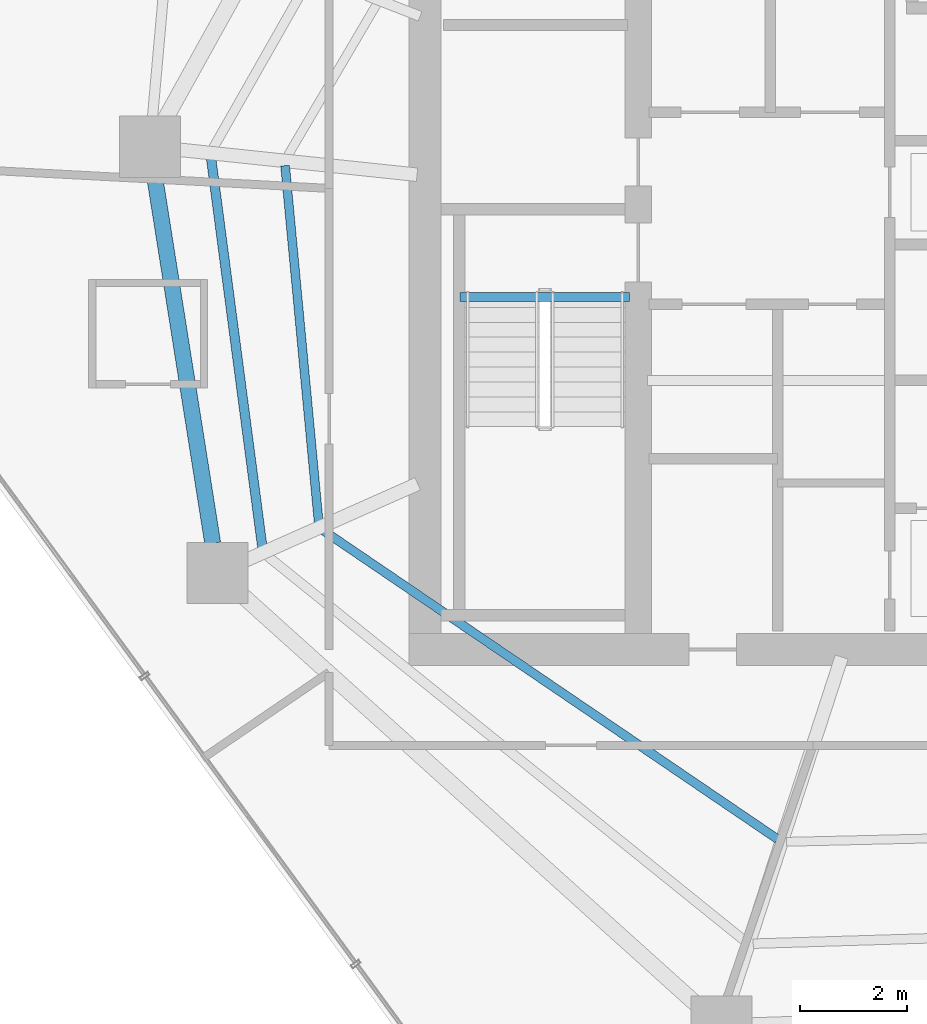
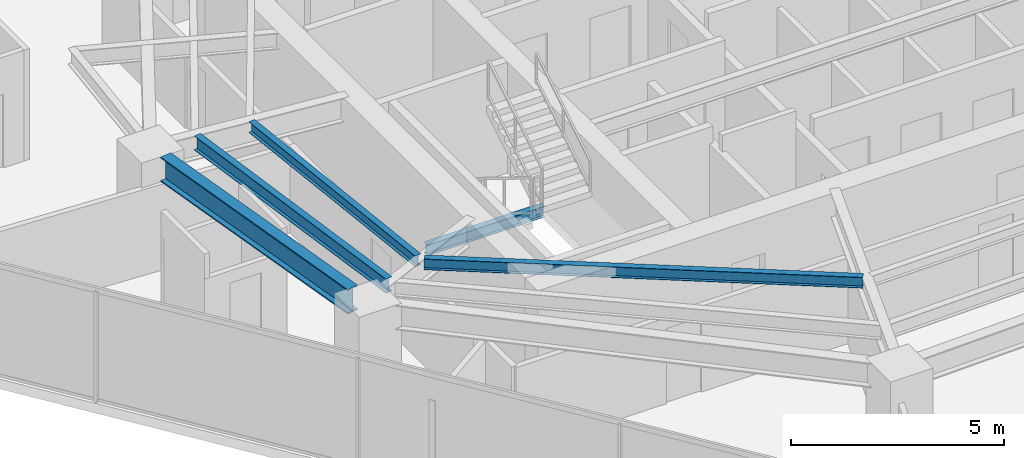
# One storey, part 7 of 30: 5 beams.
"""IFC4 building model written with IfcOpenShell, lengths in metres."""

from ifc_helpers import new_model, si_unit, direction, frame, origin, origin_2d, place, context, subcontext, project, spatial, i_section, extrude, material, material_profile, profile_set, type_object, element, save


model = new_model("IFC4")

# Units and contexts
model_context = context("Model", 3, precision=1e-05, world=origin(), true_north=direction((0.0, 1.0)))
body_context = subcontext(model_context, "Body", "Model", "MODEL_VIEW")
ifc_project = project(units=[si_unit("LENGTHUNIT", "METRE"), si_unit("AREAUNIT", "SQUARE_METRE"), si_unit("VOLUMEUNIT", "CUBIC_METRE"), si_unit("PLANEANGLEUNIT", "RADIAN"), si_unit("MASSUNIT", "GRAM", prefix="KILO")], contexts=[model_context])

# Site, building, storey
site_placement = place(None, origin())
site = spatial("IfcSite", under=ifc_project, at=site_placement, CompositionType="ELEMENT")
building_placement = place(site_placement, origin())
building = spatial("IfcBuilding", under=site, at=building_placement, Name="Qarnah Convention Tower", CompositionType="ELEMENT")
storey_placement = place(building_placement, frame((0.0, 0.0, 90.14990234375)))
storey = spatial("IfcBuildingStorey", under=building, at=storey_placement, Name="L23", CompositionType="ELEMENT", Elevation=90.14990234375)

# Beams
ifc_material = material(Name="Structural steel S355JR", Category="steel")
ifc_material_profile_1 = material_profile(ifc_material, i_section(OverallWidth=0.166015625, OverallDepth=0.31201171875, WebThickness=0.007080078125, FlangeThickness=0.010986328125, at=origin_2d()), Name="W310X45")
ifc_profile_set_1 = profile_set([ifc_material_profile_1], Name="Structural steel S355JR")
beam_type_1 = type_object("IfcBeamType", Name="BM-JST-W310", PredefinedType="JOIST", material=ifc_profile_set_1)
beam_1_placement = place(storey_placement, frame((27.4599609375, 25.217041015625, -0.156005859375), z_axis=(1.0, 0.0, 0.0), x_axis=(0.0, 1.0, 0.0)))
element("IfcBeam", 1, at=beam_1_placement, inside=storey, type_object=beam_type_1, Name="L23 stair landing trimmer beam BM-L23-ST1-TRM", PredefinedType="BEAM", context=body_context, shape_type="SweptSolid", body=[
    extrude(i_section(OverallWidth=0.166015625, OverallDepth=0.31201171875, WebThickness=0.007080078125, FlangeThickness=0.010986328125, at=origin_2d()), origin(), (0.0, 0.0, 1.0), 3.179931640625),
])
beam_2_placement = place(storey_placement, frame((24.174072265625, 27.679931640625, 3.01416015625), z_axis=(0.093676486558, -0.995602689764, 0.0), x_axis=(0.995602689764, 0.093676486558, 0.0)))
element("IfcBeam", 2, at=beam_2_placement, inside=storey, type_object=beam_type_1, Name="L23 joist BM-L23-IJST-05", PredefinedType="JOIST", context=body_context, shape_type="SweptSolid", body=[
    extrude(i_section(OverallWidth=0.166015625, OverallDepth=0.31201171875, WebThickness=0.007080078125, FlangeThickness=0.010986328125, at=origin_2d()), origin(), (0.0, 0.0, 1.0), 6.734375),
])
beam_3_placement = place(storey_placement, frame((24.886962890625, 20.833984375, 3.01416015625), z_axis=(0.827160221011, -0.561966163374, 0.0), x_axis=(0.561966163374, 0.827160221011, 0.0)))
element("IfcBeam", 3, at=beam_3_placement, inside=storey, type_object=beam_type_1, Name="L23 joist BM-L23-IJST-06", PredefinedType="JOIST", context=body_context, shape_type="SweptSolid", body=[
    extrude(i_section(OverallWidth=0.166015625, OverallDepth=0.31201171875, WebThickness=0.007080078125, FlangeThickness=0.010986328125, at=origin_2d()), origin(), (0.0, 0.0, 1.0), 10.313720703125),
])
ifc_material_profile_2 = material_profile(ifc_material, i_section(OverallWidth=0.177978515625, OverallDepth=0.407958984375, WebThickness=0.008056640625, FlangeThickness=0.012939453125, at=origin_2d()), Name="W410X60")
ifc_profile_set_2 = profile_set([ifc_material_profile_2], Name="Structural steel S355JR")
beam_type_2 = type_object("IfcBeamType", Name="BM-JST-W410", PredefinedType="JOIST", material=ifc_profile_set_2)
beam_4_placement = place(storey_placement, frame((22.783935546875, 27.827880859375, 2.966064453125), z_axis=(0.130550291015, -0.991441688409, 0.0), x_axis=(0.991441688409, 0.130550291015, 0.0)))
element("IfcBeam", 4, at=beam_4_placement, inside=storey, type_object=beam_type_2, Name="L23 joist BM-L23-SJST-05", PredefinedType="JOIST", context=body_context, shape_type="SweptSolid", body=[
    extrude(i_section(OverallWidth=0.177978515625, OverallDepth=0.407958984375, WebThickness=0.008056640625, FlangeThickness=0.012939453125, at=origin_2d()), origin(), (0.0, 0.0, 1.0), 7.385009765625),
])
ifc_material_profile_3 = material_profile(ifc_material, i_section(OverallWidth=0.300048828125, OverallDepth=0.699951171875, WebThickness=0.01708984375, FlangeThickness=0.031982421875, at=origin_2d()), Name="HEB700")
ifc_profile_set_3 = profile_set([ifc_material_profile_3], Name="Structural steel S355JR")
beam_type_3 = type_object("IfcBeamType", Name="BM-RING-HEB700", PredefinedType="BEAM", material=ifc_profile_set_3)
beam_5_placement = place(storey_placement, frame((21.72412109375, 27.47802734375, 2.820068359375), z_axis=(0.156482310627, -0.987680761411, 0.0), x_axis=(0.987680761411, 0.156482310627, 0.0)))
element("IfcBeam", 5, at=beam_5_placement, inside=storey, type_object=beam_type_3, Name="L23 beam BM-L23-SPN-05", PredefinedType="BEAM", context=body_context, shape_type="SweptSolid", body=[
    extrude(i_section(OverallWidth=0.300048828125, OverallDepth=0.699951171875, WebThickness=0.01708984375, FlangeThickness=0.031982421875, at=origin_2d()), origin(), (0.0, 0.0, 1.0), 6.970947265625),
])

save(model, "model.ifc")
